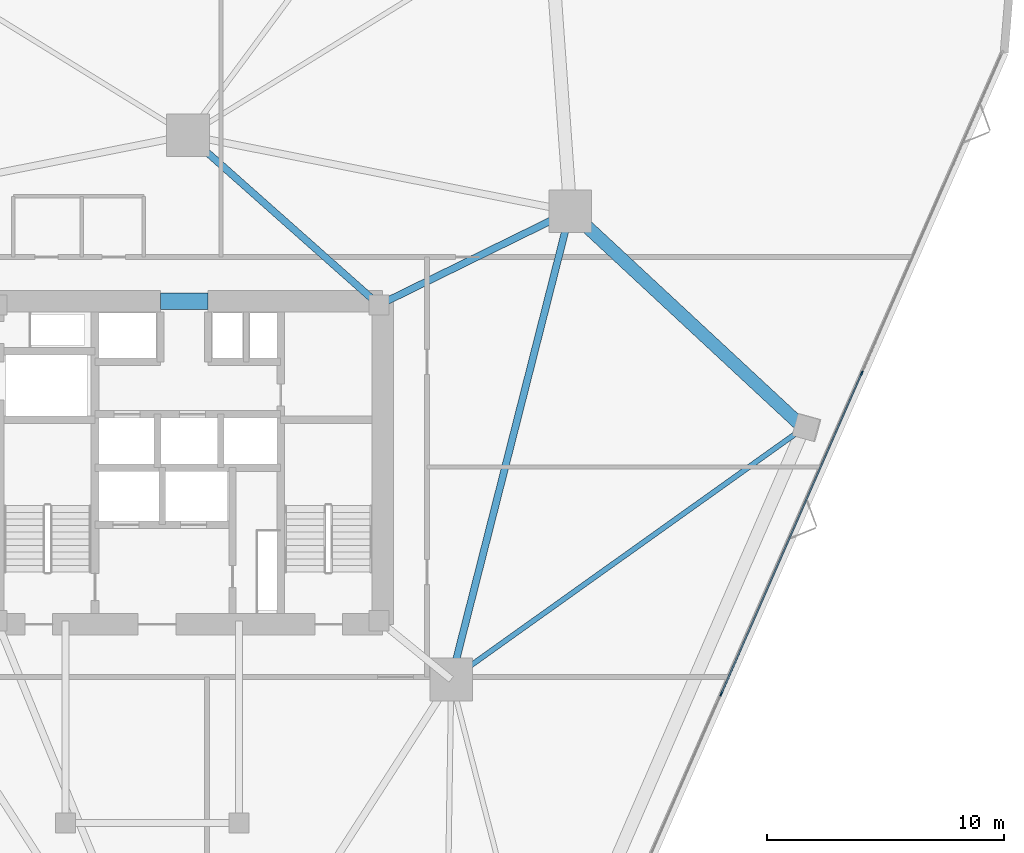
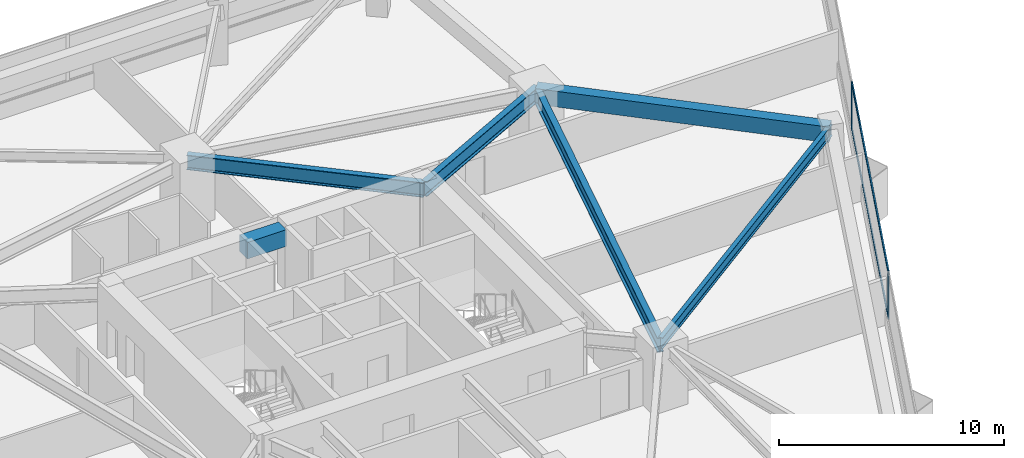
# One storey, part 9 of 20: 6 beams, 4 members, 1 element without a shape of its own.
"""IFC4 building model written with IfcOpenShell, lengths in metres."""

from ifc_helpers import new_model, si_unit, direction, frame, origin, origin_2d, place, context, subcontext, project, spatial, rectangle, i_section, extrude, material, layer, layer_set, material_profile, profile_set, type_object, element, aggregate, save


model = new_model("IFC4")

# Units and contexts
model_context = context("Model", 3, precision=1e-05, world=origin(), true_north=direction((0.0, 1.0)))
body_context = subcontext(model_context, "Body", "Model", "MODEL_VIEW")
ifc_project = project(units=[si_unit("LENGTHUNIT", "METRE"), si_unit("AREAUNIT", "SQUARE_METRE"), si_unit("VOLUMEUNIT", "CUBIC_METRE"), si_unit("PLANEANGLEUNIT", "RADIAN"), si_unit("MASSUNIT", "GRAM", prefix="KILO")], contexts=[model_context])

# Site, building, storey
site_placement = place(None, origin())
site = spatial("IfcSite", under=ifc_project, at=site_placement, CompositionType="ELEMENT")
building_placement = place(site_placement, origin())
building = spatial("IfcBuilding", under=site, at=building_placement, Name="Talyreon Biosciences Tower", CompositionType="ELEMENT")
storey_placement = place(building_placement, frame((0.0, 0.0, 30.10009765625)))
storey = spatial("IfcBuildingStorey", under=building, at=storey_placement, Name="L07", CompositionType="ELEMENT", Elevation=30.10009765625)

# Curtain wall, members
ifc_material_1 = material(Name="Thermally broken aluminium and low-E glazing", Category="aluminium")
ifc_layer = layer(ifc_material_1, 0.195068359375)
ifc_layer_set = layer_set([ifc_layer], Name="Thermally broken aluminium and low-E glazing")
curtain_wall_type = type_object("IfcCurtainWallType", Name="CurtainWall_Zone1WetLab", PredefinedType="NOTDEFINED", material=ifc_layer_set)
curtain_wall_placement = place(storey_placement, origin())
curtain_wall = element("IfcCurtainWall", 1, at=curtain_wall_placement, inside=storey, type_object=curtain_wall_type, Name="L07 Unitised Curtain Wall FCW-L07-08", PredefinedType="NOTDEFINED")
ifc_material_2 = material(Name="Anodised thermally broken aluminium", Category="aluminium")
ifc_material_profile_1 = material_profile(ifc_material_2, rectangle(XDim=0.06494140625, YDim=0.179931640625, at=origin_2d()), Name="ALUM MULLION 65x180")
ifc_profile_set_1 = profile_set([ifc_material_profile_1], Name="Anodised thermally broken aluminium")
member_type_1 = type_object("IfcMemberType", Name="CWMullion_65x180", PredefinedType="MULLION", material=ifc_profile_set_1)
member_1_placement = place(storey_placement, frame((94.378662109375, 71.783935546875, 0.809814453125), z_axis=(0.0, 0.0, 1.0), x_axis=(0.915926900592, -0.401345129249, 0.0)))
member_1 = element("IfcMember", 2, at=member_1_placement, type_object=member_type_1, Name="CW2 mullion 2", PredefinedType="MULLION", context=body_context, shape_type="SweptSolid", body=[
    extrude(rectangle(XDim=0.06494140625, YDim=0.179931640625, at=origin_2d()), origin(), (0.0, 0.0, 1.0), 2.565185546875),
])
member_2_placement = place(storey_placement, frame((88.45654296875, 58.268310546875, 0.809814453125), z_axis=(0.0, 0.0, 1.0), x_axis=(0.915926900592, -0.401345129249, 0.0)))
member_2 = element("IfcMember", 3, at=member_2_placement, type_object=member_type_1, Name="CW2 mullion 3", PredefinedType="MULLION", context=body_context, shape_type="SweptSolid", body=[
    extrude(rectangle(XDim=0.06494140625, YDim=0.179931640625, at=origin_2d()), origin(), (0.0, 0.0, 1.0), 2.565185546875),
])
ifc_material_profile_2 = material_profile(ifc_material_2, rectangle(XDim=0.06494140625, YDim=0.139892578125, at=origin_2d()), Name="ALUM TRANSOM 65x140")
ifc_profile_set_2 = profile_set([ifc_material_profile_2], Name="Anodised thermally broken aluminium")
member_type_2 = type_object("IfcMemberType", Name="CWTransom_65x140", PredefinedType="USERDEFINED", material=ifc_profile_set_2)
member_3_placement = place(storey_placement, frame((94.36572265625, 71.754150390625, 0.84228515625), z_axis=(-0.401345318485, -0.915926817672, 0.0), x_axis=(0.915926817672, -0.401345318485, 0.0)))
member_3 = element("IfcMember", 4, at=member_3_placement, type_object=member_type_2, Name="CW2 transom 2.1", ObjectType="TRANSOM", PredefinedType="USERDEFINED", context=body_context, shape_type="SweptSolid", body=[
    extrude(rectangle(XDim=0.06494140625, YDim=0.139892578125, at=origin_2d()), origin(), (0.0, 0.0, 1.0), 14.691162109375),
])
member_4_placement = place(storey_placement, frame((94.36572265625, 71.754150390625, 3.34228515625), z_axis=(-0.401345318485, -0.915926817672, 0.0), x_axis=(0.915926817672, -0.401345318485, 0.0)))
member_4 = element("IfcMember", 5, at=member_4_placement, type_object=member_type_2, Name="CW2 transom 2.2", ObjectType="TRANSOM", PredefinedType="USERDEFINED", context=body_context, shape_type="SweptSolid", body=[
    extrude(rectangle(XDim=0.06494140625, YDim=0.139892578125, at=origin_2d()), origin(), (0.0, 0.0, 1.0), 14.691162109375),
])
aggregate(curtain_wall, [member_1, member_2, member_3, member_4])

# Beams
ifc_material_3 = material(Name="Concrete C60/75", Category="concrete")
ifc_material_profile_3 = material_profile(ifc_material_3, rectangle(XDim=0.699951171875, YDim=0.89990234375, at=origin_2d()), Name="RCB 700x900")
ifc_profile_set_3 = profile_set([ifc_material_profile_3], Name="Concrete C60/75")
beam_type_1 = type_object("IfcBeamType", Name="CoreCouplingLintel_700x900", PredefinedType="LINTEL", material=ifc_profile_set_3)
beam_1_placement = place(storey_placement, frame((64.85009765625, 74.800048828125, 2.9248046875), z_axis=(1.0, 0.0, 0.0), x_axis=(0.0, 1.0, 0.0)))
element("IfcBeam", 6, at=beam_1_placement, inside=storey, type_object=beam_type_1, Name="L07 Core Coupling Lintel", PredefinedType="LINTEL", context=body_context, shape_type="SweptSolid", body=[
    extrude(rectangle(XDim=0.699951171875, YDim=0.89990234375, at=origin_2d()), origin(), (0.0, 0.0, 1.0), 2.0),
])
ifc_material_4 = material(Name="Precast concrete C45/55", Category="concrete")
ifc_material_profile_4 = material_profile(ifc_material_4, rectangle(XDim=0.550048828125, YDim=0.85009765625, at=origin_2d()), Name="RCB 550x850")
ifc_profile_set_4 = profile_set([ifc_material_profile_4], Name="Precast concrete C45/55")
beam_type_2 = type_object("IfcBeamType", Name="ExpressedSpandrel_550x850", PredefinedType="SPANDREL", material=ifc_profile_set_4)
beam_2_placement = place(storey_placement, frame((91.927978515625, 69.468505859375, 2.949951171875), z_axis=(-0.73256006322, 0.680702397362, 0.0), x_axis=(-0.680702397362, -0.73256006322, 0.0)))
element("IfcBeam", 7, at=beam_2_placement, inside=storey, type_object=beam_type_2, Name="L07 Expressed Horizontal Concrete Spandrel 04", PredefinedType="SPANDREL", context=body_context, shape_type="SweptSolid", body=[
    extrude(rectangle(XDim=0.550048828125, YDim=0.85009765625, at=origin_2d()), origin(), (0.0, 0.0, 1.0), 13.412841796875),
])
ifc_material_5 = material(Name="Steel SM355", Category="steel")
ifc_material_profile_5 = material_profile(ifc_material_5, i_section(OverallWidth=0.300048828125, OverallDepth=0.800048828125, WebThickness=0.017578125, FlangeThickness=0.032958984375, FilletRadius=0.030029296875, at=origin_2d()), Name="HE800B")
ifc_profile_set_5 = profile_set([ifc_material_profile_5], Name="Steel SM355")
beam_type_3 = type_object("IfcBeamType", Name="SteelGirder_HE800B", PredefinedType="BEAM", material=ifc_profile_set_5)
beam_3_placement = place(storey_placement, frame((77.086181640625, 58.88037109375, 2.974853515625), z_axis=(0.246537082299, 0.969133358755, 0.0), x_axis=(-0.969133358755, 0.246537082299, 0.0)))
element("IfcBeam", 8, at=beam_3_placement, inside=storey, type_object=beam_type_3, Name="L07 Mega-Ring Girder 2", PredefinedType="BEAM", context=body_context, shape_type="SweptSolid", body=[
    extrude(i_section(OverallWidth=0.300048828125, OverallDepth=0.800048828125, WebThickness=0.017578125, FlangeThickness=0.032958984375, FilletRadius=0.030029296875, at=origin_2d()), origin(), (0.0, 0.0, 1.0), 20.34619140625),
])
beam_4_placement = place(storey_placement, frame((74.050048828125, 74.64990234375, 2.974853515625), z_axis=(0.897852360314, 0.440296648952, 0.0), x_axis=(-0.440296648952, 0.897852360314, 0.0)))
element("IfcBeam", 9, at=beam_4_placement, inside=storey, type_object=beam_type_3, Name="L07 Radial Primary Girder 3", PredefinedType="BEAM", context=body_context, shape_type="SweptSolid", body=[
    extrude(i_section(OverallWidth=0.300048828125, OverallDepth=0.800048828125, WebThickness=0.017578125, FlangeThickness=0.032958984375, FilletRadius=0.030029296875, at=origin_2d()), origin(), (0.0, 0.0, 1.0), 8.96826171875),
])
beam_5_placement = place(storey_placement, frame((74.050048828125, 74.64990234375, 2.974853515625), z_axis=(-0.748178733955, 0.663497235908, 0.0), x_axis=(-0.663497235908, -0.748178733955, 0.0)))
element("IfcBeam", 10, at=beam_5_placement, inside=storey, type_object=beam_type_3, Name="L07 Radial Primary Girder 4", PredefinedType="BEAM", context=body_context, shape_type="SweptSolid", body=[
    extrude(i_section(OverallWidth=0.300048828125, OverallDepth=0.800048828125, WebThickness=0.017578125, FlangeThickness=0.032958984375, FilletRadius=0.030029296875, at=origin_2d()), origin(), (0.0, 0.0, 1.0), 10.759521484375),
])
ifc_material_profile_6 = material_profile(ifc_material_5, i_section(OverallWidth=0.219970703125, OverallDepth=0.60009765625, WebThickness=0.011962890625, FlangeThickness=0.01904296875, FilletRadius=0.02392578125, at=origin_2d()), Name="IPE600")
ifc_profile_set_6 = profile_set([ifc_material_profile_6], Name="Steel SM355")
beam_type_4 = type_object("IfcBeamType", Name="SteelJoist_IPE600", PredefinedType="JOIST", material=ifc_profile_set_6)
beam_6_placement = place(storey_placement, frame((77.086181640625, 58.88037109375, 3.074951171875), z_axis=(0.814074443331, 0.580760536466, 0.0), x_axis=(-0.580760536466, 0.814074443331, 0.0)))
element("IfcBeam", 11, at=beam_6_placement, inside=storey, type_object=beam_type_4, Name="L07 Radial Composite Floor Joist PC-SE2", PredefinedType="JOIST", context=body_context, shape_type="SweptSolid", body=[
    extrude(i_section(OverallWidth=0.219970703125, OverallDepth=0.60009765625, WebThickness=0.011962890625, FlangeThickness=0.01904296875, FilletRadius=0.02392578125, at=origin_2d()), origin(), (0.0, 0.0, 1.0), 18.2314453125),
])

save(model, "model.ifc")
